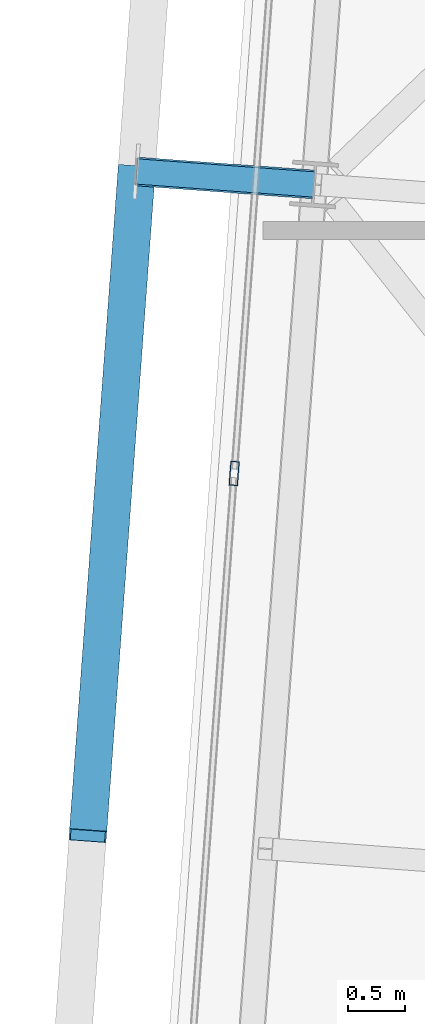
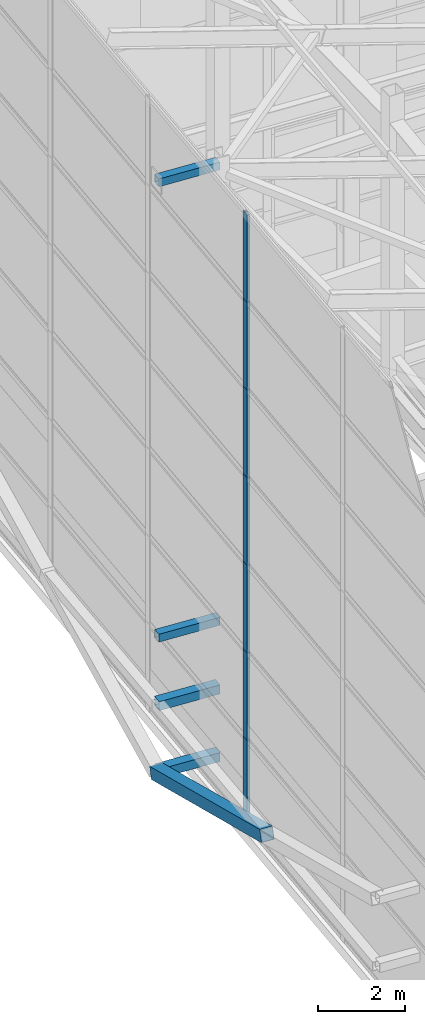
# One storey, part 13 of 56: 12 members, 7 elements without a shape of their own.
"""IFC4 building model written with IfcOpenShell, lengths in metres."""

from ifc_helpers import new_model, si_unit, direction, frame, origin, origin_2d, place, context, subcontext, project, spatial, hollow_rectangle, extrude, source, transform, mapped, material, layer, layer_set, material_profile, profile_set, type_object, element, aggregate, save


model = new_model("IFC4")

# Units and contexts
model_context = context("Model", 3, precision=1e-05, world=origin(), true_north=direction((0.0, 1.0)))
body_context = subcontext(model_context, "Body", "Model", "MODEL_VIEW")
ifc_project = project(units=[si_unit("LENGTHUNIT", "METRE"), si_unit("AREAUNIT", "SQUARE_METRE"), si_unit("VOLUMEUNIT", "CUBIC_METRE"), si_unit("PLANEANGLEUNIT", "RADIAN"), si_unit("MASSUNIT", "GRAM", prefix="KILO")], contexts=[model_context])

# Site, building, storey
site_placement = place(None, origin())
site = spatial("IfcSite", under=ifc_project, at=site_placement, CompositionType="ELEMENT")
building_placement = place(site_placement, origin())
building = spatial("IfcBuilding", under=site, at=building_placement, Name="Taldren Reach Tower", CompositionType="ELEMENT")
storey_placement = place(building_placement, frame((0.0, 0.0, 253.050048828125)))
storey = spatial("IfcBuildingStorey", under=building, at=storey_placement, Name="L77", CompositionType="ELEMENT", Elevation=253.050048828125)

# Members
ifc_material_1 = material(Name="Steel Gr 350 (C350L0)", Category="steel")
ifc_material_profile_1 = material_profile(ifc_material_1, hollow_rectangle(XDim=0.25, YDim=0.25, WallThickness=0.010009765625, at=origin_2d()), Name="250x250x10.0SHS")
ifc_profile_set_1 = profile_set([ifc_material_profile_1], Name="Steel Gr 350 (C350L0)")
member_type_1 = type_object("IfcMemberType", Name="MB-POST250", PredefinedType="POST", material=ifc_profile_set_1)
shared_shape_1 = source(origin(), body_context, "Body", "SweptSolid", [
    extrude(hollow_rectangle(XDim=0.25, YDim=0.25, WallThickness=0.010009765625, at=origin_2d()), origin(), (0.0, 0.0, 1.0), 1.550048828125),
])
for number, where, z_axis, x_axis, name in (
    (1, (13.108642578125, 21.80029296875, 0.219970703125), (-0.997314396849, 0.07323929162, 0.0), (-0.07323929162, -0.997314396849, 0.0), "Exoskeleton base diaphragm tie strut B5-W2 L77"),
    (2, (13.108642578125, 21.80029296875, 2.10986328125), (-0.997314396849, 0.07323929162, 0.0), (-0.07323929162, -0.997314396849, 0.0), "Exoskeleton mid-tier diaphragm tie B5-W2 L77"),
):
    element("IfcMember", number, at=place(storey_placement, frame(where, z_axis=z_axis, x_axis=x_axis)), inside=storey, type_object=member_type_1, Name=name, PredefinedType="POST", context=body_context, shape_type="MappedRepresentation", body=[
        mapped(shared_shape_1, transform((0.0, 0.0, 0.0), scale=1.0)),
    ])
ifc_material_2 = material(Name="Steel Gr 450 (C450L0)", Category="steel")
ifc_material_profile_2 = material_profile(ifc_material_2, hollow_rectangle(XDim=0.219970703125, YDim=0.219970703125, WallThickness=0.00830078125, at=origin_2d()), Name="220x220x8.2SHS")
ifc_profile_set_2 = profile_set([ifc_material_profile_2], Name="Steel Gr 450 (C450L0)")
member_type_2 = type_object("IfcMemberType", Name="MB-TIE219", PredefinedType="STRUT", material=ifc_profile_set_2)
shared_shape_2 = source(origin(), body_context, "Body", "SweptSolid", [
    extrude(hollow_rectangle(XDim=0.219970703125, YDim=0.219970703125, WallThickness=0.00830078125, at=origin_2d()), origin(), (0.0, 0.0, 1.0), 1.550048828125),
])
for number, where, z_axis, x_axis, name in (
    (3, (13.108642578125, 21.80029296875, 16.713623046875), (-0.997314396849, 0.07323929162, 0.0), (-0.07323929162, -0.997314396849, 0.0), "Exoskeleton diaphragm tie strut B5-W2 L77"),
    (4, (13.108642578125, 21.80029296875, 4.0), (-0.997314396849, 0.07323929162, 0.0), (-0.07323929162, -0.997314396849, 0.0), "Crown exoskeleton mid-tier tie strut B5-W2"),
):
    element("IfcMember", number, at=place(storey_placement, frame(where, z_axis=z_axis, x_axis=x_axis)), inside=storey, type_object=member_type_2, Name=name, PredefinedType="STRUT", context=body_context, shape_type="MappedRepresentation", body=[
        mapped(shared_shape_2, transform((0.0, 0.0, 0.0), scale=1.0)),
    ])
ifc_material_profile_3 = material_profile(ifc_material_2, hollow_rectangle(XDim=0.324951171875, YDim=0.324951171875, WallThickness=0.0126953125, at=origin_2d()), Name="325x325x12.7SHS")
ifc_profile_set_3 = profile_set([ifc_material_profile_3], Name="Steel Gr 450 (C450L0)")
member_type_3 = type_object("IfcMemberType", Name="MB-BR324", PredefinedType="BRACE", material=ifc_profile_set_3)
shared_shape_3 = source(origin(), body_context, "Body", "SweptSolid", [
    extrude(hollow_rectangle(XDim=0.324951171875, YDim=0.324951171875, WallThickness=0.0126953125, at=origin_2d()), origin(), (0.0, 0.0, 1.0), 6.10009765625),
])
member_1_placement = place(storey_placement, frame((11.562744140625, 21.913818359375, 0.219970703125), z_axis=(-0.069638510717, -0.948244387595, 0.309811328425), x_axis=(0.997314185625, -0.073242167855, 0.0)))
element("IfcMember", 5, at=member_1_placement, inside=storey, type_object=member_type_3, Name="Exoskeleton Diagrid Brace B5-W1 L77", PredefinedType="BRACE", context=body_context, shape_type="MappedRepresentation", body=[
    mapped(shared_shape_3, transform((0.0, 0.0, 0.0), scale=1.0)),
])

# Curtain wall, member
ifc_material_3 = material(Name="Aluminium and Low-E Glass Unitised System", Category="aluminium")
ifc_layer = layer(ifc_material_3, 0.159912109375)
ifc_layer_set = layer_set([ifc_layer], Name="Aluminium and Low-E Glass Unitised System")
curtain_wall_type = type_object("IfcCurtainWallType", Name="CW-SYS-8", PredefinedType="NOTDEFINED", material=ifc_layer_set)
curtain_wall_1_placement = place(storey_placement, origin())
curtain_wall_1 = element("IfcCurtainWall", 6, at=curtain_wall_1_placement, inside=storey, type_object=curtain_wall_type, Name="Unitised curtain wall CW8-L77-W", PredefinedType="NOTDEFINED")
ifc_material_4 = material(Name="Anodised Aluminium 6063-T6", Category="aluminium")
ifc_material_profile_4 = material_profile(ifc_material_4, hollow_rectangle(XDim=0.074951171875, YDim=0.2099609375, WallThickness=0.00439453125, at=origin_2d()), Name="ALU-210x75x4.5RHS")
ifc_profile_set_4 = profile_set([ifc_material_profile_4], Name="Anodised Aluminium 6063-T6")
member_type_4 = type_object("IfcMemberType", Name="CW-MUL-200", PredefinedType="MULLION", material=ifc_profile_set_4)
shared_shape_4 = source(origin(), body_context, "Body", "SweptSolid", [
    extrude(hollow_rectangle(XDim=0.074951171875, YDim=0.2099609375, WallThickness=0.00439453125, at=origin_2d()), origin(), (0.0, 0.0, 1.0), 2.4462890625),
])
member_2_placement = place(storey_placement, frame((12.41259765625, 19.284423828125, 0.0), z_axis=(0.0, 0.0, 1.0), x_axis=(0.997314470951, -0.073238282558, 0.0)))
member_2 = element("IfcMember", 7, at=member_2_placement, type_object=member_type_4, Name="CW-8 mullion 4", PredefinedType="MULLION", context=body_context, shape_type="MappedRepresentation", body=[
    mapped(shared_shape_4, transform((0.0, 0.0, 0.0), scale=1.0)),
])
aggregate(curtain_wall_1, [member_2])

curtain_wall_2_placement = place(storey_placement, origin())
curtain_wall_2 = element("IfcCurtainWall", 8, at=curtain_wall_2_placement, inside=storey, type_object=curtain_wall_type, Name="Unitised curtain wall CW8-L77-W-T3", PredefinedType="NOTDEFINED")
member_3_placement = place(storey_placement, frame((12.41259765625, 19.284423828125, 4.892822265625), z_axis=(0.0, 0.0, 1.0), x_axis=(0.997314470951, -0.073238282558, 0.0)))
member_3 = element("IfcMember", 9, at=member_3_placement, type_object=member_type_4, Name="CW-8 mullion 4", PredefinedType="MULLION", context=body_context, shape_type="MappedRepresentation", body=[
    mapped(shared_shape_4, transform((0.0, 0.0, 0.0), scale=1.0)),
])
aggregate(curtain_wall_2, [member_3])

curtain_wall_3_placement = place(storey_placement, origin())
curtain_wall_3 = element("IfcCurtainWall", 10, at=curtain_wall_3_placement, inside=storey, type_object=curtain_wall_type, Name="Unitised curtain wall CW8-L77-W-T5", PredefinedType="NOTDEFINED")
member_4_placement = place(storey_placement, frame((12.41259765625, 19.284423828125, 9.78564453125), z_axis=(0.0, 0.0, 1.0), x_axis=(0.997314470951, -0.073238282558, 0.0)))
member_4 = element("IfcMember", 11, at=member_4_placement, type_object=member_type_4, Name="CW-8 mullion 4", PredefinedType="MULLION", context=body_context, shape_type="MappedRepresentation", body=[
    mapped(shared_shape_4, transform((0.0, 0.0, 0.0), scale=1.0)),
])
aggregate(curtain_wall_3, [member_4])

curtain_wall_4_placement = place(storey_placement, origin())
curtain_wall_4 = element("IfcCurtainWall", 12, at=curtain_wall_4_placement, inside=storey, type_object=curtain_wall_type, Name="Unitised curtain wall CW8-L77-W-T7", PredefinedType="NOTDEFINED")
member_5_placement = place(storey_placement, frame((12.41259765625, 19.284423828125, 14.678466796875), z_axis=(0.0, 0.0, 1.0), x_axis=(0.997314470951, -0.073238282558, 0.0)))
member_5 = element("IfcMember", 13, at=member_5_placement, type_object=member_type_4, Name="CW-8 mullion 4", PredefinedType="MULLION", context=body_context, shape_type="MappedRepresentation", body=[
    mapped(shared_shape_4, transform((0.0, 0.0, 0.0), scale=1.0)),
])
aggregate(curtain_wall_4, [member_5])

curtain_wall_5_placement = place(storey_placement, origin())
curtain_wall_5 = element("IfcCurtainWall", 14, at=curtain_wall_5_placement, inside=storey, type_object=curtain_wall_type, Name="Unitised curtain wall CW8-L77-W-T2", PredefinedType="NOTDEFINED")
shared_shape_5 = source(origin(), body_context, "Body", "SweptSolid", [
    extrude(hollow_rectangle(XDim=0.074951171875, YDim=0.2099609375, WallThickness=0.00439453125, at=origin_2d()), origin(), (0.0, 0.0, 1.0), 2.446533203125),
])
member_6_placement = place(storey_placement, frame((12.41259765625, 19.284423828125, 2.4462890625), z_axis=(0.0, 0.0, 1.0), x_axis=(0.997314470951, -0.073238282558, 0.0)))
member_6 = element("IfcMember", 15, at=member_6_placement, type_object=member_type_4, Name="CW-8 mullion 4", PredefinedType="MULLION", context=body_context, shape_type="MappedRepresentation", body=[
    mapped(shared_shape_5, transform((0.0, 0.0, 0.0), scale=1.0)),
])
aggregate(curtain_wall_5, [member_6])

curtain_wall_6_placement = place(storey_placement, origin())
curtain_wall_6 = element("IfcCurtainWall", 16, at=curtain_wall_6_placement, inside=storey, type_object=curtain_wall_type, Name="Unitised curtain wall CW8-L77-W-T4", PredefinedType="NOTDEFINED")
member_7_placement = place(storey_placement, frame((12.41259765625, 19.284423828125, 7.339111328125), z_axis=(0.0, 0.0, 1.0), x_axis=(0.997314470951, -0.073238282558, 0.0)))
member_7 = element("IfcMember", 17, at=member_7_placement, type_object=member_type_4, Name="CW-8 mullion 4", PredefinedType="MULLION", context=body_context, shape_type="MappedRepresentation", body=[
    mapped(shared_shape_5, transform((0.0, 0.0, 0.0), scale=1.0)),
])
aggregate(curtain_wall_6, [member_7])

curtain_wall_7_placement = place(storey_placement, origin())
curtain_wall_7 = element("IfcCurtainWall", 18, at=curtain_wall_7_placement, inside=storey, type_object=curtain_wall_type, Name="Unitised curtain wall CW8-L77-W-T6", PredefinedType="NOTDEFINED")
member_8_placement = place(storey_placement, frame((12.41259765625, 19.284423828125, 12.23193359375), z_axis=(0.0, 0.0, 1.0), x_axis=(0.997314470951, -0.073238282558, 0.0)))
member_8 = element("IfcMember", 19, at=member_8_placement, type_object=member_type_4, Name="CW-8 mullion 4", PredefinedType="MULLION", context=body_context, shape_type="MappedRepresentation", body=[
    mapped(shared_shape_5, transform((0.0, 0.0, 0.0), scale=1.0)),
])
aggregate(curtain_wall_7, [member_8])

save(model, "model.ifc")
